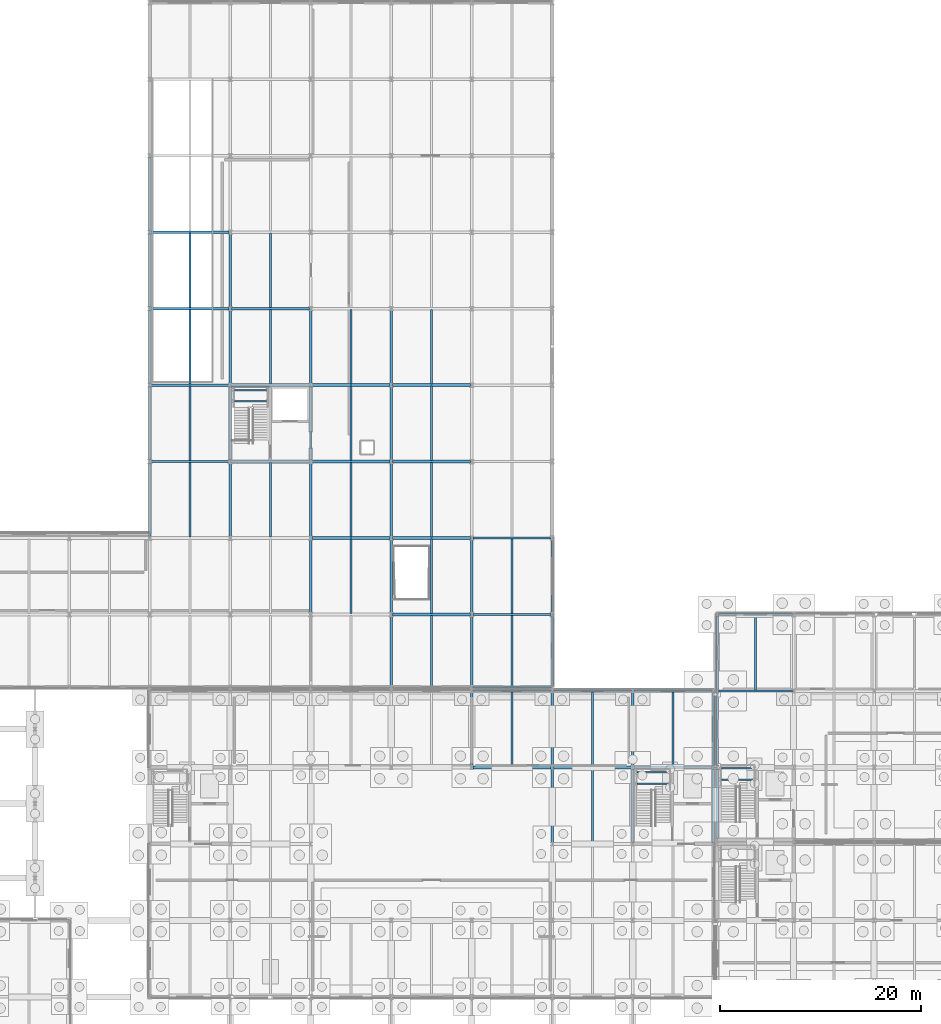
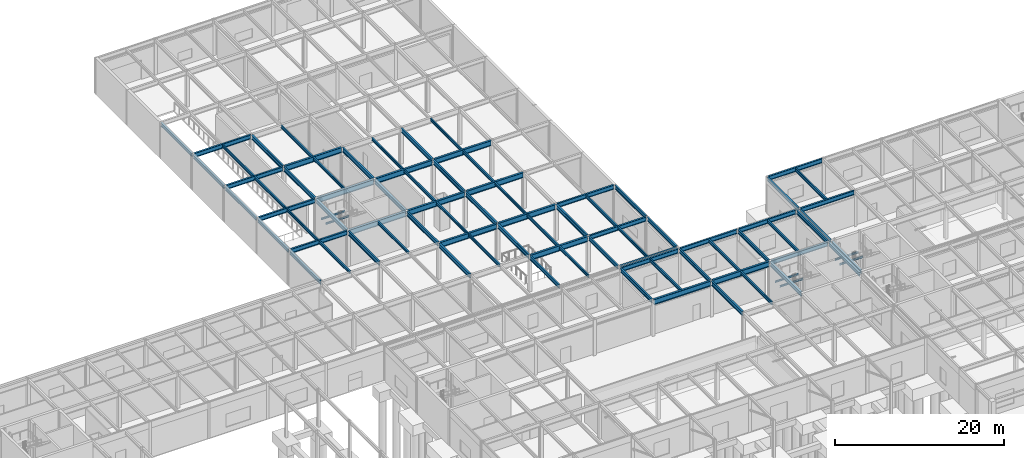
# One storey, part 31 of 62: 86 beams.
"""IFC4 building model written with IfcOpenShell, lengths in metres."""

from ifc_helpers import new_model, si_unit, direction, frame, origin, origin_2d, place, context, subcontext, project, spatial, i_section, extrude, material, material_profile, profile_set, type_object, element, save


model = new_model("IFC4")

# Units and contexts
model_context = context("Model", 3, precision=1e-05, world=origin(), true_north=direction((0.0, 1.0)))
body_context = subcontext(model_context, "Body", "Model", "MODEL_VIEW")
ifc_project = project(units=[si_unit("LENGTHUNIT", "METRE"), si_unit("AREAUNIT", "SQUARE_METRE"), si_unit("VOLUMEUNIT", "CUBIC_METRE"), si_unit("PLANEANGLEUNIT", "RADIAN"), si_unit("MASSUNIT", "GRAM", prefix="KILO")], contexts=[model_context])

# Site, building, storey
site_placement = place(None, origin())
site = spatial("IfcSite", under=ifc_project, at=site_placement, CompositionType="ELEMENT")
building_placement = place(site_placement, origin())
building = spatial("IfcBuilding", under=site, at=building_placement, Name="Zulena Civic Courthouse", CompositionType="ELEMENT")
storey_placement = place(building_placement, origin())
storey = spatial("IfcBuildingStorey", under=building, at=storey_placement, Name="L00", CompositionType="ELEMENT", Elevation=0.0)

# Beams
ifc_material = material(Name="Steel ASTM A992 Grade 50", Category="steel")
ifc_material_profile_1 = material_profile(ifc_material, i_section(OverallWidth=0.22802734375, OverallDepth=0.60693359375, WebThickness=0.01123046875, FlangeThickness=0.017333984375, FilletRadius=0.0126953125, at=origin_2d()), Name="W24X76")
ifc_profile_set_1 = profile_set([ifc_material_profile_1], Name="Steel ASTM A992 Grade 50")
beam_type_1 = type_object("IfcBeamType", Name="Girder_W24X76", PredefinedType="BEAM", material=ifc_profile_set_1)
beam_1_placement = place(storey_placement, frame((76.0, 60.945068359375, 4.881591796875), z_axis=(0.0, 1.0, 0.0), x_axis=(-1.0, 0.0, 0.0)))
element("IfcBeam", 1, at=beam_1_placement, inside=storey, type_object=beam_type_1, Name="beam:Y:V5:L00:76.0:60.8_68.4", PredefinedType="BEAM", context=body_context, shape_type="SweptSolid", body=[
    extrude(i_section(OverallWidth=0.22802734375, OverallDepth=0.60693359375, WebThickness=0.01123046875, FlangeThickness=0.017333984375, FilletRadius=0.0126953125, at=origin_2d()), origin(), (0.0, 0.0, 1.0), 7.309814453125),
])
for number, where, z_axis, x_axis, name in (
    (2, (76.0, 68.544921875, 4.881591796875), (0.0, 1.0, 0.0), (-1.0, 0.0, 0.0), "beam:Y:V5:L00:76.0:68.4_76.0"),
    (3, (76.0, 76.14501953125, 4.881591796875), (0.0, 1.0, 0.0), (-1.0, 0.0, 0.0), "beam:Y:V5:L00:76.0:76.0_83.6"),
):
    element("IfcBeam", number, at=place(storey_placement, frame(where, z_axis=z_axis, x_axis=x_axis)), inside=storey, type_object=beam_type_1, Name=name, PredefinedType="BEAM", context=body_context, shape_type="SweptSolid", body=[
        extrude(i_section(OverallWidth=0.22802734375, OverallDepth=0.60693359375, WebThickness=0.01123046875, FlangeThickness=0.017333984375, FilletRadius=0.0126953125, at=origin_2d()), origin(), (0.0, 0.0, 1.0), 7.31005859375),
    ])
beam_2_placement = place(storey_placement, frame((76.0, 83.7451171875, 4.881591796875), z_axis=(0.0, 1.0, 0.0), x_axis=(-1.0, 0.0, 0.0)))
element("IfcBeam", 4, at=beam_2_placement, inside=storey, type_object=beam_type_1, Name="beam:Y:V5:L00:76.0:83.6_91.2", PredefinedType="BEAM", context=body_context, shape_type="SweptSolid", body=[
    extrude(i_section(OverallWidth=0.22802734375, OverallDepth=0.60693359375, WebThickness=0.01123046875, FlangeThickness=0.017333984375, FilletRadius=0.0126953125, at=origin_2d()), origin(), (0.0, 0.0, 1.0), 7.309814453125),
])
beam_3_placement = place(storey_placement, frame((84.0, 53.344970703125, 4.881591796875), z_axis=(0.0, 1.0, 0.0), x_axis=(-1.0, 0.0, 0.0)))
element("IfcBeam", 5, at=beam_3_placement, inside=storey, type_object=beam_type_1, Name="beam:Y:V5:L00:84.0:53.2_60.8", PredefinedType="BEAM", context=body_context, shape_type="SweptSolid", body=[
    extrude(i_section(OverallWidth=0.22802734375, OverallDepth=0.60693359375, WebThickness=0.01123046875, FlangeThickness=0.017333984375, FilletRadius=0.0126953125, at=origin_2d()), origin(), (0.0, 0.0, 1.0), 7.31005859375),
])
beam_4_placement = place(storey_placement, frame((84.0, 60.945068359375, 4.881591796875), z_axis=(0.0, 1.0, 0.0), x_axis=(-1.0, 0.0, 0.0)))
element("IfcBeam", 6, at=beam_4_placement, inside=storey, type_object=beam_type_1, Name="beam:Y:V5:L00:84.0:60.8_68.4", PredefinedType="BEAM", context=body_context, shape_type="SweptSolid", body=[
    extrude(i_section(OverallWidth=0.22802734375, OverallDepth=0.60693359375, WebThickness=0.01123046875, FlangeThickness=0.017333984375, FilletRadius=0.0126953125, at=origin_2d()), origin(), (0.0, 0.0, 1.0), 7.309814453125),
])
for number, where, z_axis, x_axis, name in (
    (7, (84.0, 68.544921875, 4.881591796875), (0.0, 1.0, 0.0), (-1.0, 0.0, 0.0), "beam:Y:V5:L00:84.0:68.4_76.0"),
    (8, (84.0, 76.14501953125, 4.881591796875), (0.0, 1.0, 0.0), (-1.0, 0.0, 0.0), "beam:Y:V5:L00:84.0:76.0_83.6"),
    (9, (92.0, 53.344970703125, 4.881591796875), (0.0, 1.0, 0.0), (-1.0, 0.0, 0.0), "beam:Y:V5:L00:92.0:53.2_60.8"),
):
    element("IfcBeam", number, at=place(storey_placement, frame(where, z_axis=z_axis, x_axis=x_axis)), inside=storey, type_object=beam_type_1, Name=name, PredefinedType="BEAM", context=body_context, shape_type="SweptSolid", body=[
        extrude(i_section(OverallWidth=0.22802734375, OverallDepth=0.60693359375, WebThickness=0.01123046875, FlangeThickness=0.017333984375, FilletRadius=0.0126953125, at=origin_2d()), origin(), (0.0, 0.0, 1.0), 7.31005859375),
    ])
beam_5_placement = place(storey_placement, frame((92.0, 60.945068359375, 4.881591796875), z_axis=(0.0, 1.0, 0.0), x_axis=(-1.0, 0.0, 0.0)))
element("IfcBeam", 10, at=beam_5_placement, inside=storey, type_object=beam_type_1, Name="beam:Y:V5:L00:92.0:60.8_68.4", PredefinedType="BEAM", context=body_context, shape_type="SweptSolid", body=[
    extrude(i_section(OverallWidth=0.22802734375, OverallDepth=0.60693359375, WebThickness=0.01123046875, FlangeThickness=0.017333984375, FilletRadius=0.0126953125, at=origin_2d()), origin(), (0.0, 0.0, 1.0), 7.309814453125),
])
for number, where, z_axis, x_axis, name in (
    (11, (92.0, 68.544921875, 4.881591796875), (0.0, 1.0, 0.0), (-1.0, 0.0, 0.0), "beam:Y:V5:L00:92.0:68.4_76.0"),
    (12, (92.0, 76.14501953125, 4.881591796875), (0.0, 1.0, 0.0), (-1.0, 0.0, 0.0), "beam:Y:V5:L00:92.0:76.0_83.6"),
    (13, (100.0, 53.344970703125, 4.881591796875), (0.0, 1.0, 0.0), (-1.0, 0.0, 0.0), "beam:Y:V5:L00:100.0:53.2_60.8"),
):
    element("IfcBeam", number, at=place(storey_placement, frame(where, z_axis=z_axis, x_axis=x_axis)), inside=storey, type_object=beam_type_1, Name=name, PredefinedType="BEAM", context=body_context, shape_type="SweptSolid", body=[
        extrude(i_section(OverallWidth=0.22802734375, OverallDepth=0.60693359375, WebThickness=0.01123046875, FlangeThickness=0.017333984375, FilletRadius=0.0126953125, at=origin_2d()), origin(), (0.0, 0.0, 1.0), 7.31005859375),
    ])
ifc_material_profile_2 = material_profile(ifc_material, i_section(OverallWidth=0.22998046875, OverallDepth=0.616943359375, WebThickness=0.01318359375, FlangeThickness=0.022216796875, FilletRadius=0.0126953125, at=origin_2d()), Name="W24X94")
ifc_profile_set_2 = profile_set([ifc_material_profile_2], Name="Steel ASTM A992 Grade 50")
beam_type_2 = type_object("IfcBeamType", Name="Girder_W24X94", PredefinedType="BEAM", material=ifc_profile_set_2)
for number, where, z_axis, x_axis, name in (
    (14, (108.0, 30.544921875, 4.87646484375), (0.0, 1.0, 0.0), (-1.0, 0.0, 0.0), "beam:Y:V4:L00:108.0:30.4_38.0"),
    (15, (116.0, 30.544921875, 4.87646484375), (0.0, 1.0, 0.0), (-1.0, 0.0, 0.0), "beam:Y:V4:L00:116.0:30.4_38.0"),
):
    element("IfcBeam", number, at=place(storey_placement, frame(where, z_axis=z_axis, x_axis=x_axis)), inside=storey, type_object=beam_type_2, Name=name, PredefinedType="BEAM", context=body_context, shape_type="SweptSolid", body=[
        extrude(i_section(OverallWidth=0.22998046875, OverallDepth=0.616943359375, WebThickness=0.01318359375, FlangeThickness=0.022216796875, FilletRadius=0.0126953125, at=origin_2d()), origin(), (0.0, 0.0, 1.0), 7.31005859375),
    ])
ifc_material_profile_3 = material_profile(ifc_material, i_section(OverallWidth=0.26708984375, OverallDepth=0.761962890625, WebThickness=0.014404296875, FlangeThickness=0.021484375, FilletRadius=0.0166015625, at=origin_2d()), Name="W30X116")
ifc_profile_set_3 = profile_set([ifc_material_profile_3], Name="Steel ASTM A992 Grade 50")
beam_type_3 = type_object("IfcBeamType", Name="Girder_W30X116", PredefinedType="BEAM", material=ifc_profile_set_3)
for number, where, z_axis, x_axis, name in (
    (16, (92.14501953125, 53.199951171875, 4.803955078125), (1.0, 0.0, 0.0), (0.0, 1.0, 0.0), "beam:X:V5:L00:53.2:92.0_100.0"),
    (17, (84.14501953125, 60.800048828125, 4.803955078125), (1.0, 0.0, 0.0), (0.0, 1.0, 0.0), "beam:X:V5:L00:60.8:84.0_92.0"),
    (18, (92.14501953125, 60.800048828125, 4.803955078125), (1.0, 0.0, 0.0), (0.0, 1.0, 0.0), "beam:X:V5:L00:60.8:92.0_100.0"),
    (19, (76.14501953125, 68.39990234375, 4.803955078125), (1.0, 0.0, 0.0), (0.0, 1.0, 0.0), "beam:X:V5:L00:68.4:76.0_84.0"),
    (20, (84.14501953125, 68.39990234375, 4.803955078125), (1.0, 0.0, 0.0), (0.0, 1.0, 0.0), "beam:X:V5:L00:68.4:84.0_92.0"),
    (21, (92.14501953125, 68.39990234375, 4.803955078125), (1.0, 0.0, 0.0), (0.0, 1.0, 0.0), "beam:X:V5:L00:68.4:92.0_100.0"),
    (22, (76.14501953125, 76.0, 4.803955078125), (1.0, 0.0, 0.0), (0.0, 1.0, 0.0), "beam:X:V5:L00:76.0:76.0_84.0"),
    (23, (84.14501953125, 76.0, 4.803955078125), (1.0, 0.0, 0.0), (0.0, 1.0, 0.0), "beam:X:V5:L00:76.0:84.0_92.0"),
    (24, (92.14501953125, 76.0, 4.803955078125), (1.0, 0.0, 0.0), (0.0, 1.0, 0.0), "beam:X:V5:L00:76.0:92.0_100.0"),
    (25, (76.14501953125, 83.60009765625, 4.803955078125), (1.0, 0.0, 0.0), (0.0, 1.0, 0.0), "beam:X:V5:L00:83.6:76.0_84.0"),
):
    element("IfcBeam", number, at=place(storey_placement, frame(where, z_axis=z_axis, x_axis=x_axis)), inside=storey, type_object=beam_type_3, Name=name, PredefinedType="BEAM", context=body_context, shape_type="SweptSolid", body=[
        extrude(i_section(OverallWidth=0.26708984375, OverallDepth=0.761962890625, WebThickness=0.014404296875, FlangeThickness=0.021484375, FilletRadius=0.0166015625, at=origin_2d()), origin(), (0.0, 0.0, 1.0), 7.7099609375),
    ])
ifc_material_profile_4 = material_profile(ifc_material, i_section(OverallWidth=0.26611328125, OverallDepth=0.779052734375, WebThickness=0.0166015625, FlangeThickness=0.030029296875, FilletRadius=0.0166015625, at=origin_2d()), Name="W30X148")
ifc_profile_set_4 = profile_set([ifc_material_profile_4], Name="Steel ASTM A992 Grade 50")
beam_type_4 = type_object("IfcBeamType", Name="Girder_W30X148", PredefinedType="BEAM", material=ifc_profile_set_4)
for number, where, z_axis, x_axis, name in (
    (26, (100.14501953125, 38.0, 4.79541015625), (1.0, 0.0, 0.0), (0.0, 1.0, 0.0), "beam:X:V4:L00:38.0:100.0_108.0"),
    (27, (108.14501953125, 38.0, 4.79541015625), (1.0, 0.0, 0.0), (0.0, 1.0, 0.0), "beam:X:V4:L00:38.0:108.0_116.0"),
):
    element("IfcBeam", number, at=place(storey_placement, frame(where, z_axis=z_axis, x_axis=x_axis)), inside=storey, type_object=beam_type_4, Name=name, PredefinedType="BEAM", context=body_context, shape_type="SweptSolid", body=[
        extrude(i_section(OverallWidth=0.26611328125, OverallDepth=0.779052734375, WebThickness=0.0166015625, FlangeThickness=0.030029296875, FilletRadius=0.0166015625, at=origin_2d()), origin(), (0.0, 0.0, 1.0), 7.7099609375),
    ])
ifc_material_profile_5 = material_profile(ifc_material, i_section(OverallWidth=0.14599609375, OverallDepth=0.258056640625, WebThickness=0.006103515625, FlangeThickness=0.009033203125, FilletRadius=0.007568359375, at=origin_2d()), Name="W10X22")
ifc_profile_set_5 = profile_set([ifc_material_profile_5], Name="Steel ASTM A992 Grade 50")
beam_type_5 = type_object("IfcBeamType", Name="Joist_W10X22", PredefinedType="JOIST", material=ifc_profile_set_5)
for number, where, z_axis, x_axis, name in (
    (28, (124.820068359375, 36.800048828125, 2.291015625), (1.0, 0.0, 0.0), (0.0, 1.0, 0.0), "beam:lnd:K3A:L00:0"),
    (29, (124.820068359375, 37.89990234375, 2.291015625), (1.0, 0.0, 0.0), (0.0, 1.0, 0.0), "beam:lnd:K3A:L00:1"),
):
    element("IfcBeam", number, at=place(storey_placement, frame(where, z_axis=z_axis, x_axis=x_axis)), inside=storey, type_object=beam_type_5, Name=name, PredefinedType="JOIST", context=body_context, shape_type="SweptSolid", body=[
        extrude(i_section(OverallWidth=0.14599609375, OverallDepth=0.258056640625, WebThickness=0.006103515625, FlangeThickness=0.009033203125, FilletRadius=0.007568359375, at=origin_2d()), origin(), (0.0, 0.0, 1.0), 3.199951171875),
    ])
for number, where, z_axis, x_axis, name in (
    (30, (116.419921875, 36.39990234375, 2.291015625), (1.0, 0.0, 0.0), (0.0, 1.0, 0.0), "beam:lnd:K4B:L00:0"),
    (31, (116.419921875, 37.5, 2.291015625), (1.0, 0.0, 0.0), (0.0, 1.0, 0.0), "beam:lnd:K4B:L00:1"),
    (32, (76.419921875, 74.39990234375, 2.291015625), (1.0, 0.0, 0.0), (0.0, 1.0, 0.0), "beam:lnd:K5B:L00:0"),
    (33, (76.419921875, 75.5, 2.291015625), (1.0, 0.0, 0.0), (0.0, 1.0, 0.0), "beam:lnd:K5B:L00:1"),
):
    element("IfcBeam", number, at=place(storey_placement, frame(where, z_axis=z_axis, x_axis=x_axis)), inside=storey, type_object=beam_type_5, Name=name, PredefinedType="JOIST", context=body_context, shape_type="SweptSolid", body=[
        extrude(i_section(OverallWidth=0.14599609375, OverallDepth=0.258056640625, WebThickness=0.006103515625, FlangeThickness=0.009033203125, FilletRadius=0.007568359375, at=origin_2d()), origin(), (0.0, 0.0, 1.0), 3.2001953125),
    ])
ifc_material_profile_6 = material_profile(ifc_material, i_section(OverallWidth=0.180908203125, OverallDepth=0.4169921875, WebThickness=0.010986328125, FlangeThickness=0.018310546875, FilletRadius=0.01025390625, at=origin_2d()), Name="W16X57")
ifc_profile_set_6 = profile_set([ifc_material_profile_6], Name="Steel ASTM A992 Grade 50")
beam_type_6 = type_object("IfcBeamType", Name="Joist_W16X57", PredefinedType="JOIST", material=ifc_profile_set_6)
beam_6_placement = place(storey_placement, frame((72.0, 60.905029296875, 4.9765625), z_axis=(0.0, 1.0, 0.0), x_axis=(-1.0, 0.0, 0.0)))
element("IfcBeam", 34, at=beam_6_placement, inside=storey, type_object=beam_type_6, Name="joist:V5:L00:72.00:60.8_68.4", PredefinedType="JOIST", context=body_context, shape_type="SweptSolid", body=[
    extrude(i_section(OverallWidth=0.180908203125, OverallDepth=0.4169921875, WebThickness=0.010986328125, FlangeThickness=0.018310546875, FilletRadius=0.01025390625, at=origin_2d()), origin(), (0.0, 0.0, 1.0), 7.389892578125),
])
for number, where, z_axis, x_axis, name in (
    (35, (72.0, 68.5048828125, 4.9765625), (0.0, 1.0, 0.0), (-1.0, 0.0, 0.0), "joist:V5:L00:72.00:68.4_76.0"),
    (36, (72.0, 76.10498046875, 4.9765625), (0.0, 1.0, 0.0), (-1.0, 0.0, 0.0), "joist:V5:L00:72.00:76.0_83.6"),
):
    element("IfcBeam", number, at=place(storey_placement, frame(where, z_axis=z_axis, x_axis=x_axis)), inside=storey, type_object=beam_type_6, Name=name, PredefinedType="JOIST", context=body_context, shape_type="SweptSolid", body=[
        extrude(i_section(OverallWidth=0.180908203125, OverallDepth=0.4169921875, WebThickness=0.010986328125, FlangeThickness=0.018310546875, FilletRadius=0.01025390625, at=origin_2d()), origin(), (0.0, 0.0, 1.0), 7.39013671875),
    ])
for number, where, z_axis, x_axis, name in (
    (37, (72.0, 83.705078125, 4.9765625), (0.0, 1.0, 0.0), (-1.0, 0.0, 0.0), "joist:V5:L00:72.00:83.6_91.2"),
    (38, (80.0, 60.905029296875, 4.9765625), (0.0, 1.0, 0.0), (-1.0, 0.0, 0.0), "joist:V5:L00:80.00:60.8_68.4"),
):
    element("IfcBeam", number, at=place(storey_placement, frame(where, z_axis=z_axis, x_axis=x_axis)), inside=storey, type_object=beam_type_6, Name=name, PredefinedType="JOIST", context=body_context, shape_type="SweptSolid", body=[
        extrude(i_section(OverallWidth=0.180908203125, OverallDepth=0.4169921875, WebThickness=0.010986328125, FlangeThickness=0.018310546875, FilletRadius=0.01025390625, at=origin_2d()), origin(), (0.0, 0.0, 1.0), 7.389892578125),
    ])
beam_7_placement = place(storey_placement, frame((80.0, 76.10498046875, 4.9765625), z_axis=(0.0, 1.0, 0.0), x_axis=(-1.0, 0.0, 0.0)))
element("IfcBeam", 39, at=beam_7_placement, inside=storey, type_object=beam_type_6, Name="joist:V5:L00:80.00:76.0_83.6", PredefinedType="JOIST", context=body_context, shape_type="SweptSolid", body=[
    extrude(i_section(OverallWidth=0.180908203125, OverallDepth=0.4169921875, WebThickness=0.010986328125, FlangeThickness=0.018310546875, FilletRadius=0.01025390625, at=origin_2d()), origin(), (0.0, 0.0, 1.0), 7.39013671875),
])
beam_8_placement = place(storey_placement, frame((80.0, 83.705078125, 4.9765625), z_axis=(0.0, 1.0, 0.0), x_axis=(-1.0, 0.0, 0.0)))
element("IfcBeam", 40, at=beam_8_placement, inside=storey, type_object=beam_type_6, Name="joist:V5:L00:80.00:83.6_91.2", PredefinedType="JOIST", context=body_context, shape_type="SweptSolid", body=[
    extrude(i_section(OverallWidth=0.180908203125, OverallDepth=0.4169921875, WebThickness=0.010986328125, FlangeThickness=0.018310546875, FilletRadius=0.01025390625, at=origin_2d()), origin(), (0.0, 0.0, 1.0), 7.389892578125),
])
beam_9_placement = place(storey_placement, frame((88.0, 53.304931640625, 4.9765625), z_axis=(0.0, 1.0, 0.0), x_axis=(-1.0, 0.0, 0.0)))
element("IfcBeam", 41, at=beam_9_placement, inside=storey, type_object=beam_type_6, Name="joist:V5:L00:88.00:53.2_60.8", PredefinedType="JOIST", context=body_context, shape_type="SweptSolid", body=[
    extrude(i_section(OverallWidth=0.180908203125, OverallDepth=0.4169921875, WebThickness=0.010986328125, FlangeThickness=0.018310546875, FilletRadius=0.01025390625, at=origin_2d()), origin(), (0.0, 0.0, 1.0), 7.39013671875),
])
beam_10_placement = place(storey_placement, frame((88.0, 60.905029296875, 4.9765625), z_axis=(0.0, 1.0, 0.0), x_axis=(-1.0, 0.0, 0.0)))
element("IfcBeam", 42, at=beam_10_placement, inside=storey, type_object=beam_type_6, Name="joist:V5:L00:88.00:60.8_68.4", PredefinedType="JOIST", context=body_context, shape_type="SweptSolid", body=[
    extrude(i_section(OverallWidth=0.180908203125, OverallDepth=0.4169921875, WebThickness=0.010986328125, FlangeThickness=0.018310546875, FilletRadius=0.01025390625, at=origin_2d()), origin(), (0.0, 0.0, 1.0), 7.389892578125),
])
for number, where, z_axis, x_axis, name in (
    (43, (88.0, 68.5048828125, 4.9765625), (0.0, 1.0, 0.0), (-1.0, 0.0, 0.0), "joist:V5:L00:88.00:68.4_76.0"),
    (44, (88.0, 76.10498046875, 4.9765625), (0.0, 1.0, 0.0), (-1.0, 0.0, 0.0), "joist:V5:L00:88.00:76.0_83.6"),
):
    element("IfcBeam", number, at=place(storey_placement, frame(where, z_axis=z_axis, x_axis=x_axis)), inside=storey, type_object=beam_type_6, Name=name, PredefinedType="JOIST", context=body_context, shape_type="SweptSolid", body=[
        extrude(i_section(OverallWidth=0.180908203125, OverallDepth=0.4169921875, WebThickness=0.010986328125, FlangeThickness=0.018310546875, FilletRadius=0.01025390625, at=origin_2d()), origin(), (0.0, 0.0, 1.0), 7.39013671875),
    ])
beam_11_placement = place(storey_placement, frame((96.0, 46.10498046875, 4.9765625), z_axis=(0.0, 1.0, 0.0), x_axis=(-1.0, 0.0, 0.0)))
element("IfcBeam", 45, at=beam_11_placement, inside=storey, type_object=beam_type_6, Name="joist:V5:L00:96.00:46.0_53.2", PredefinedType="JOIST", context=body_context, shape_type="SweptSolid", body=[
    extrude(i_section(OverallWidth=0.180908203125, OverallDepth=0.4169921875, WebThickness=0.010986328125, FlangeThickness=0.018310546875, FilletRadius=0.01025390625, at=origin_2d()), origin(), (0.0, 0.0, 1.0), 6.989990234375),
])
beam_12_placement = place(storey_placement, frame((96.0, 53.304931640625, 4.9765625), z_axis=(0.0, 1.0, 0.0), x_axis=(-1.0, 0.0, 0.0)))
element("IfcBeam", 46, at=beam_12_placement, inside=storey, type_object=beam_type_6, Name="joist:V5:L00:96.00:53.2_60.8", PredefinedType="JOIST", context=body_context, shape_type="SweptSolid", body=[
    extrude(i_section(OverallWidth=0.180908203125, OverallDepth=0.4169921875, WebThickness=0.010986328125, FlangeThickness=0.018310546875, FilletRadius=0.01025390625, at=origin_2d()), origin(), (0.0, 0.0, 1.0), 7.39013671875),
])
beam_13_placement = place(storey_placement, frame((96.0, 60.905029296875, 4.9765625), z_axis=(0.0, 1.0, 0.0), x_axis=(-1.0, 0.0, 0.0)))
element("IfcBeam", 47, at=beam_13_placement, inside=storey, type_object=beam_type_6, Name="joist:V5:L00:96.00:60.8_68.4", PredefinedType="JOIST", context=body_context, shape_type="SweptSolid", body=[
    extrude(i_section(OverallWidth=0.180908203125, OverallDepth=0.4169921875, WebThickness=0.010986328125, FlangeThickness=0.018310546875, FilletRadius=0.01025390625, at=origin_2d()), origin(), (0.0, 0.0, 1.0), 7.389892578125),
])
for number, where, z_axis, x_axis, name in (
    (48, (96.0, 68.5048828125, 4.9765625), (0.0, 1.0, 0.0), (-1.0, 0.0, 0.0), "joist:V5:L00:96.00:68.4_76.0"),
    (49, (96.0, 76.10498046875, 4.9765625), (0.0, 1.0, 0.0), (-1.0, 0.0, 0.0), "joist:V5:L00:96.00:76.0_83.6"),
):
    element("IfcBeam", number, at=place(storey_placement, frame(where, z_axis=z_axis, x_axis=x_axis)), inside=storey, type_object=beam_type_6, Name=name, PredefinedType="JOIST", context=body_context, shape_type="SweptSolid", body=[
        extrude(i_section(OverallWidth=0.180908203125, OverallDepth=0.4169921875, WebThickness=0.010986328125, FlangeThickness=0.018310546875, FilletRadius=0.01025390625, at=origin_2d()), origin(), (0.0, 0.0, 1.0), 7.39013671875),
    ])
beam_14_placement = place(storey_placement, frame((104.0, 46.10498046875, 4.9765625), z_axis=(0.0, 1.0, 0.0), x_axis=(-1.0, 0.0, 0.0)))
element("IfcBeam", 50, at=beam_14_placement, inside=storey, type_object=beam_type_6, Name="joist:V5:L00:104.00:46.0_53.2", PredefinedType="JOIST", context=body_context, shape_type="SweptSolid", body=[
    extrude(i_section(OverallWidth=0.180908203125, OverallDepth=0.4169921875, WebThickness=0.010986328125, FlangeThickness=0.018310546875, FilletRadius=0.01025390625, at=origin_2d()), origin(), (0.0, 0.0, 1.0), 6.989990234375),
])
beam_15_placement = place(storey_placement, frame((104.0, 53.304931640625, 4.9765625), z_axis=(0.0, 1.0, 0.0), x_axis=(-1.0, 0.0, 0.0)))
element("IfcBeam", 51, at=beam_15_placement, inside=storey, type_object=beam_type_6, Name="joist:V5:L00:104.00:53.2_60.8", PredefinedType="JOIST", context=body_context, shape_type="SweptSolid", body=[
    extrude(i_section(OverallWidth=0.180908203125, OverallDepth=0.4169921875, WebThickness=0.010986328125, FlangeThickness=0.018310546875, FilletRadius=0.01025390625, at=origin_2d()), origin(), (0.0, 0.0, 1.0), 7.39013671875),
])
ifc_material_profile_7 = material_profile(ifc_material, i_section(OverallWidth=0.19091796875, OverallDepth=0.4599609375, WebThickness=0.010009765625, FlangeThickness=0.01611328125, FilletRadius=0.01025390625, at=origin_2d()), Name="W18X55")
ifc_profile_set_7 = profile_set([ifc_material_profile_7], Name="Steel ASTM A992 Grade 50")
beam_type_7 = type_object("IfcBeamType", Name="Joist_W18X55", PredefinedType="JOIST", material=ifc_profile_set_7)
beam_16_placement = place(storey_placement, frame((128.199951171875, 45.705078125, 4.955078125), z_axis=(0.0, 1.0, 0.0), x_axis=(-1.0, 0.0, 0.0)))
element("IfcBeam", 52, at=beam_16_placement, inside=storey, type_object=beam_type_7, Name="joist:V3:L00:128.20:45.6_53.2", PredefinedType="JOIST", context=body_context, shape_type="SweptSolid", body=[
    extrude(i_section(OverallWidth=0.19091796875, OverallDepth=0.4599609375, WebThickness=0.010009765625, FlangeThickness=0.01611328125, FilletRadius=0.01025390625, at=origin_2d()), origin(), (0.0, 0.0, 1.0), 7.389892578125),
])
for number, where, z_axis, x_axis, name in (
    (53, (104.0, 38.10498046875, 4.955078125), (0.0, 1.0, 0.0), (-1.0, 0.0, 0.0), "joist:V4:L00:104.00:38.0_45.6"),
    (54, (112.0, 30.5048828125, 4.955078125), (0.0, 1.0, 0.0), (-1.0, 0.0, 0.0), "joist:V4:L00:112.00:30.4_38.0"),
    (55, (112.0, 38.10498046875, 4.955078125), (0.0, 1.0, 0.0), (-1.0, 0.0, 0.0), "joist:V4:L00:112.00:38.0_45.6"),
    (56, (120.0, 38.10498046875, 4.955078125), (0.0, 1.0, 0.0), (-1.0, 0.0, 0.0), "joist:V4:L00:120.00:38.0_45.6"),
):
    element("IfcBeam", number, at=place(storey_placement, frame(where, z_axis=z_axis, x_axis=x_axis)), inside=storey, type_object=beam_type_7, Name=name, PredefinedType="JOIST", context=body_context, shape_type="SweptSolid", body=[
        extrude(i_section(OverallWidth=0.19091796875, OverallDepth=0.4599609375, WebThickness=0.010009765625, FlangeThickness=0.01611328125, FilletRadius=0.01025390625, at=origin_2d()), origin(), (0.0, 0.0, 1.0), 7.39013671875),
    ])
ifc_material_profile_8 = material_profile(ifc_material, i_section(OverallWidth=0.2099609375, OverallDepth=0.537109375, WebThickness=0.010986328125, FlangeThickness=0.017333984375, FilletRadius=0.0126953125, at=origin_2d()), Name="W21X68")
ifc_profile_set_8 = profile_set([ifc_material_profile_8], Name="Steel ASTM A992 Grade 50")
beam_type_8 = type_object("IfcBeamType", Name="Spandrel_W21X68", PredefinedType="SPANDREL", material=ifc_profile_set_8)
beam_17_placement = place(storey_placement, frame((124.39990234375, 30.945068359375, 4.91650390625), z_axis=(0.0, 1.0, 0.0), x_axis=(-1.0, 0.0, 0.0)))
element("IfcBeam", 57, at=beam_17_placement, inside=storey, type_object=beam_type_8, Name="beam:Y:V3:L00:124.4:30.8_38.0", PredefinedType="SPANDREL", context=body_context, shape_type="SweptSolid", body=[
    extrude(i_section(OverallWidth=0.2099609375, OverallDepth=0.537109375, WebThickness=0.010986328125, FlangeThickness=0.017333984375, FilletRadius=0.0126953125, at=origin_2d()), origin(), (0.0, 0.0, 1.0), 6.909912109375),
])
beam_18_placement = place(storey_placement, frame((124.39990234375, 38.14501953125, 4.91650390625), z_axis=(0.0, 1.0, 0.0), x_axis=(-1.0, 0.0, 0.0)))
element("IfcBeam", 58, at=beam_18_placement, inside=storey, type_object=beam_type_8, Name="beam:Y:V3:L00:124.4:38.0_45.6", PredefinedType="SPANDREL", context=body_context, shape_type="SweptSolid", body=[
    extrude(i_section(OverallWidth=0.2099609375, OverallDepth=0.537109375, WebThickness=0.010986328125, FlangeThickness=0.017333984375, FilletRadius=0.0126953125, at=origin_2d()), origin(), (0.0, 0.0, 1.0), 7.31005859375),
])
beam_19_placement = place(storey_placement, frame((124.39990234375, 45.7451171875, 4.91650390625), z_axis=(0.0, 1.0, 0.0), x_axis=(-1.0, 0.0, 0.0)))
element("IfcBeam", 59, at=beam_19_placement, inside=storey, type_object=beam_type_8, Name="beam:Y:V3:L00:124.4:45.6_53.2", PredefinedType="SPANDREL", context=body_context, shape_type="SweptSolid", body=[
    extrude(i_section(OverallWidth=0.2099609375, OverallDepth=0.537109375, WebThickness=0.010986328125, FlangeThickness=0.017333984375, FilletRadius=0.0126953125, at=origin_2d()), origin(), (0.0, 0.0, 1.0), 7.309814453125),
])
for number, where, z_axis, x_axis, name in (
    (60, (100.0, 38.14501953125, 4.91650390625), (0.0, 1.0, 0.0), (-1.0, 0.0, 0.0), "beam:Y:V4:L00:100.0:38.0_45.6"),
    (61, (108.0, 38.14501953125, 4.91650390625), (0.0, 1.0, 0.0), (-1.0, 0.0, 0.0), "beam:Y:V4:L00:108.0:38.0_45.6"),
    (62, (116.0, 38.14501953125, 4.91650390625), (0.0, 1.0, 0.0), (-1.0, 0.0, 0.0), "beam:Y:V4:L00:116.0:38.0_45.6"),
    (63, (124.0, 30.544921875, 4.91650390625), (0.0, 1.0, 0.0), (-1.0, 0.0, 0.0), "beam:Y:V4:L00:124.0:30.4_38.0"),
    (64, (124.0, 38.14501953125, 4.91650390625), (0.0, 1.0, 0.0), (-1.0, 0.0, 0.0), "beam:Y:V4:L00:124.0:38.0_45.6"),
):
    element("IfcBeam", number, at=place(storey_placement, frame(where, z_axis=z_axis, x_axis=x_axis)), inside=storey, type_object=beam_type_8, Name=name, PredefinedType="SPANDREL", context=body_context, shape_type="SweptSolid", body=[
        extrude(i_section(OverallWidth=0.2099609375, OverallDepth=0.537109375, WebThickness=0.010986328125, FlangeThickness=0.017333984375, FilletRadius=0.0126953125, at=origin_2d()), origin(), (0.0, 0.0, 1.0), 7.31005859375),
    ])
beam_20_placement = place(storey_placement, frame((68.0, 60.945068359375, 4.91650390625), z_axis=(0.0, 1.0, 0.0), x_axis=(-1.0, 0.0, 0.0)))
element("IfcBeam", 65, at=beam_20_placement, inside=storey, type_object=beam_type_8, Name="beam:Y:V5:L00:68.0:60.8_68.4", PredefinedType="SPANDREL", context=body_context, shape_type="SweptSolid", body=[
    extrude(i_section(OverallWidth=0.2099609375, OverallDepth=0.537109375, WebThickness=0.010986328125, FlangeThickness=0.017333984375, FilletRadius=0.0126953125, at=origin_2d()), origin(), (0.0, 0.0, 1.0), 7.309814453125),
])
for number, where, z_axis, x_axis, name in (
    (66, (68.0, 68.544921875, 4.91650390625), (0.0, 1.0, 0.0), (-1.0, 0.0, 0.0), "beam:Y:V5:L00:68.0:68.4_76.0"),
    (67, (68.0, 76.14501953125, 4.91650390625), (0.0, 1.0, 0.0), (-1.0, 0.0, 0.0), "beam:Y:V5:L00:68.0:76.0_83.6"),
):
    element("IfcBeam", number, at=place(storey_placement, frame(where, z_axis=z_axis, x_axis=x_axis)), inside=storey, type_object=beam_type_8, Name=name, PredefinedType="SPANDREL", context=body_context, shape_type="SweptSolid", body=[
        extrude(i_section(OverallWidth=0.2099609375, OverallDepth=0.537109375, WebThickness=0.010986328125, FlangeThickness=0.017333984375, FilletRadius=0.0126953125, at=origin_2d()), origin(), (0.0, 0.0, 1.0), 7.31005859375),
    ])
beam_21_placement = place(storey_placement, frame((68.0, 83.7451171875, 4.91650390625), z_axis=(0.0, 1.0, 0.0), x_axis=(-1.0, 0.0, 0.0)))
element("IfcBeam", 68, at=beam_21_placement, inside=storey, type_object=beam_type_8, Name="beam:Y:V5:L00:68.0:83.6_91.2", PredefinedType="SPANDREL", context=body_context, shape_type="SweptSolid", body=[
    extrude(i_section(OverallWidth=0.2099609375, OverallDepth=0.537109375, WebThickness=0.010986328125, FlangeThickness=0.017333984375, FilletRadius=0.0126953125, at=origin_2d()), origin(), (0.0, 0.0, 1.0), 7.309814453125),
])
beam_22_placement = place(storey_placement, frame((68.0, 91.344970703125, 4.91650390625), z_axis=(0.0, 1.0, 0.0), x_axis=(-1.0, 0.0, 0.0)))
element("IfcBeam", 69, at=beam_22_placement, inside=storey, type_object=beam_type_8, Name="beam:Y:V5:L00:68.0:91.2_98.8", PredefinedType="SPANDREL", context=body_context, shape_type="SweptSolid", body=[
    extrude(i_section(OverallWidth=0.2099609375, OverallDepth=0.537109375, WebThickness=0.010986328125, FlangeThickness=0.017333984375, FilletRadius=0.0126953125, at=origin_2d()), origin(), (0.0, 0.0, 1.0), 7.31005859375),
])
for number, where, z_axis, x_axis, name in (
    (70, (92.0, 46.14501953125, 4.91650390625), (0.0, 1.0, 0.0), (-1.0, 0.0, 0.0), "beam:Y:V5:L00:92.0:46.0_53.2"),
    (71, (100.0, 46.14501953125, 4.91650390625), (0.0, 1.0, 0.0), (-1.0, 0.0, 0.0), "beam:Y:V5:L00:100.0:46.0_53.2"),
    (72, (108.0, 46.14501953125, 4.91650390625), (0.0, 1.0, 0.0), (-1.0, 0.0, 0.0), "beam:Y:V5:L00:108.0:46.0_53.2"),
):
    element("IfcBeam", number, at=place(storey_placement, frame(where, z_axis=z_axis, x_axis=x_axis)), inside=storey, type_object=beam_type_8, Name=name, PredefinedType="SPANDREL", context=body_context, shape_type="SweptSolid", body=[
        extrude(i_section(OverallWidth=0.2099609375, OverallDepth=0.537109375, WebThickness=0.010986328125, FlangeThickness=0.017333984375, FilletRadius=0.0126953125, at=origin_2d()), origin(), (0.0, 0.0, 1.0), 6.909912109375),
    ])
beam_23_placement = place(storey_placement, frame((108.0, 53.344970703125, 4.91650390625), z_axis=(0.0, 1.0, 0.0), x_axis=(-1.0, 0.0, 0.0)))
element("IfcBeam", 73, at=beam_23_placement, inside=storey, type_object=beam_type_8, Name="beam:Y:V5:L00:108.0:53.2_60.8", PredefinedType="SPANDREL", context=body_context, shape_type="SweptSolid", body=[
    extrude(i_section(OverallWidth=0.2099609375, OverallDepth=0.537109375, WebThickness=0.010986328125, FlangeThickness=0.017333984375, FilletRadius=0.0126953125, at=origin_2d()), origin(), (0.0, 0.0, 1.0), 7.31005859375),
])
ifc_material_profile_9 = material_profile(ifc_material, i_section(OverallWidth=0.22998046875, OverallDepth=0.616943359375, WebThickness=0.01318359375, FlangeThickness=0.022216796875, FilletRadius=0.0126953125, at=origin_2d()), Name="W24X94")
ifc_profile_set_9 = profile_set([ifc_material_profile_9], Name="Steel ASTM A992 Grade 50")
beam_type_9 = type_object("IfcBeamType", Name="Spandrel_W24X94", PredefinedType="SPANDREL", material=ifc_profile_set_9)
for number, where, z_axis, x_axis, name in (
    (74, (124.544921875, 45.60009765625, 4.87646484375), (1.0, 0.0, 0.0), (0.0, 1.0, 0.0), "beam:X:V3:L00:45.6:124.4_132.0"),
    (75, (124.544921875, 53.199951171875, 4.87646484375), (1.0, 0.0, 0.0), (0.0, 1.0, 0.0), "beam:X:V3:L00:53.2:124.4_132.0"),
):
    element("IfcBeam", number, at=place(storey_placement, frame(where, z_axis=z_axis, x_axis=x_axis)), inside=storey, type_object=beam_type_9, Name=name, PredefinedType="SPANDREL", context=body_context, shape_type="SweptSolid", body=[
        extrude(i_section(OverallWidth=0.22998046875, OverallDepth=0.616943359375, WebThickness=0.01318359375, FlangeThickness=0.022216796875, FilletRadius=0.0126953125, at=origin_2d()), origin(), (0.0, 0.0, 1.0), 7.31005859375),
    ])
for number, where, z_axis, x_axis, name in (
    (76, (116.14501953125, 38.0, 4.87646484375), (1.0, 0.0, 0.0), (0.0, 1.0, 0.0), "beam:X:V4:L00:38.0:116.0_124.0"),
    (77, (100.14501953125, 45.60009765625, 4.87646484375), (1.0, 0.0, 0.0), (0.0, 1.0, 0.0), "beam:X:V4:L00:45.6:100.0_108.0"),
    (78, (108.14501953125, 45.60009765625, 4.87646484375), (1.0, 0.0, 0.0), (0.0, 1.0, 0.0), "beam:X:V4:L00:45.6:108.0_116.0"),
    (79, (116.14501953125, 45.60009765625, 4.87646484375), (1.0, 0.0, 0.0), (0.0, 1.0, 0.0), "beam:X:V4:L00:45.6:116.0_124.0"),
    (80, (100.14501953125, 46.0, 4.87646484375), (1.0, 0.0, 0.0), (0.0, 1.0, 0.0), "beam:X:V5:L00:46.0:100.0_108.0"),
    (81, (100.14501953125, 53.199951171875, 4.87646484375), (1.0, 0.0, 0.0), (0.0, 1.0, 0.0), "beam:X:V5:L00:53.2:100.0_108.0"),
    (82, (100.14501953125, 60.800048828125, 4.87646484375), (1.0, 0.0, 0.0), (0.0, 1.0, 0.0), "beam:X:V5:L00:60.8:100.0_108.0"),
    (83, (68.14501953125, 68.39990234375, 4.87646484375), (1.0, 0.0, 0.0), (0.0, 1.0, 0.0), "beam:X:V5:L00:68.4:68.0_76.0"),
    (84, (68.14501953125, 76.0, 4.87646484375), (1.0, 0.0, 0.0), (0.0, 1.0, 0.0), "beam:X:V5:L00:76.0:68.0_76.0"),
    (85, (68.14501953125, 83.60009765625, 4.87646484375), (1.0, 0.0, 0.0), (0.0, 1.0, 0.0), "beam:X:V5:L00:83.6:68.0_76.0"),
    (86, (68.14501953125, 91.199951171875, 4.87646484375), (1.0, 0.0, 0.0), (0.0, 1.0, 0.0), "beam:X:V5:L00:91.2:68.0_76.0"),
):
    element("IfcBeam", number, at=place(storey_placement, frame(where, z_axis=z_axis, x_axis=x_axis)), inside=storey, type_object=beam_type_9, Name=name, PredefinedType="SPANDREL", context=body_context, shape_type="SweptSolid", body=[
        extrude(i_section(OverallWidth=0.22998046875, OverallDepth=0.616943359375, WebThickness=0.01318359375, FlangeThickness=0.022216796875, FilletRadius=0.0126953125, at=origin_2d()), origin(), (0.0, 0.0, 1.0), 7.7099609375),
    ])

save(model, "model.ifc")
